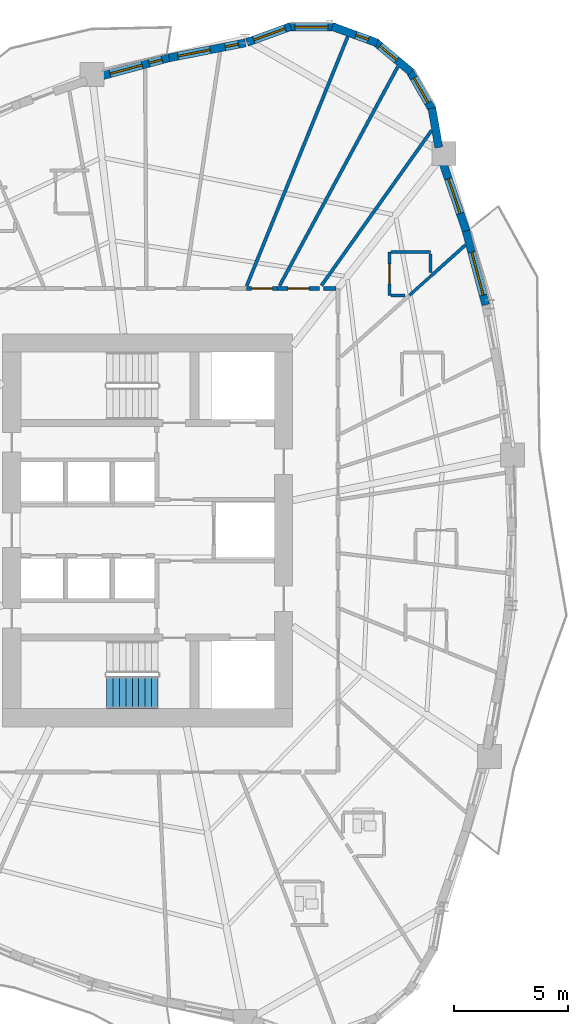
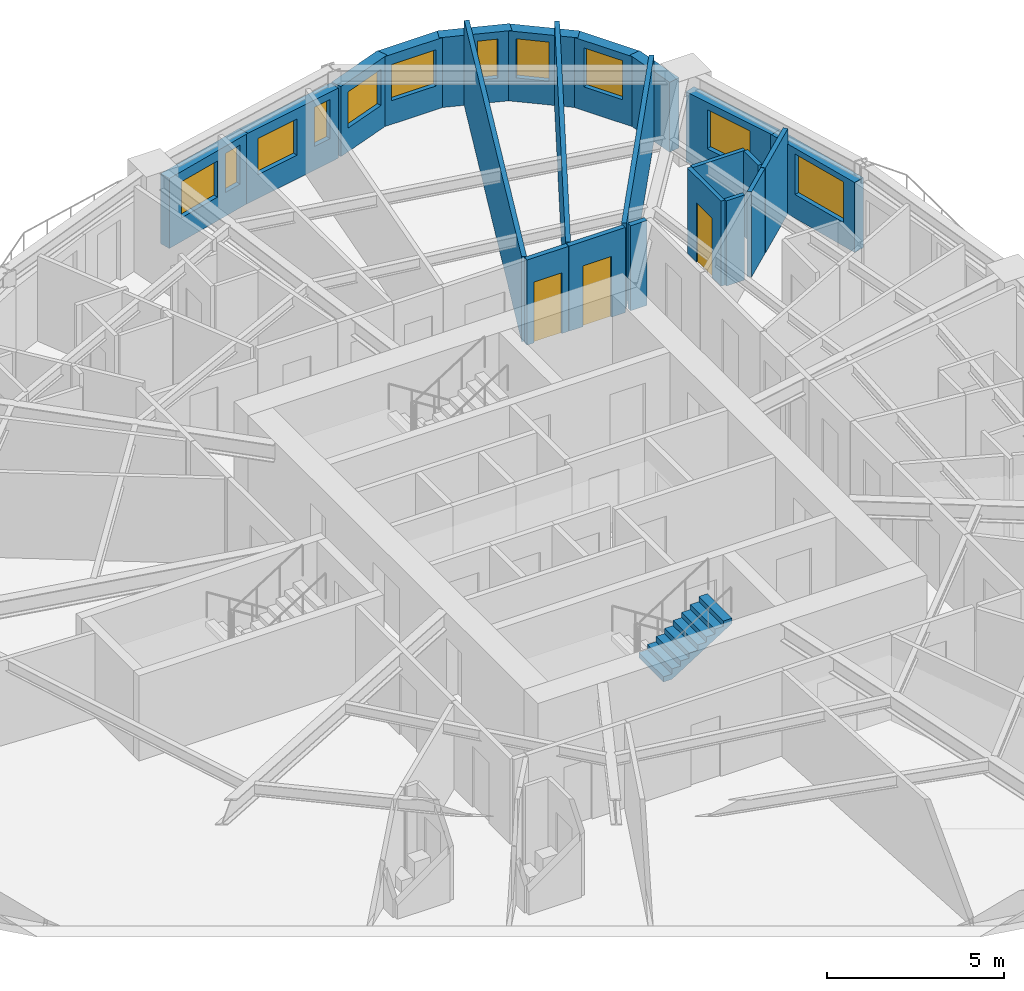
# One storey, part 9 of 14: 22 walls, 11 windows, 3 doors, 1 stair flight, 14 openings, 1 element without a shape of its own.
"""IFC4 building model written with IfcOpenShell, lengths in metres."""

from ifc_helpers import new_model, si_unit, direction, frame, frame_2d, origin, place, context, subcontext, project, spatial, polyline, rectangle, outline, extrude, source, transform, mapped, material, layer, layer_set, type_object, element, fill, aggregate, save


model = new_model("IFC4")

# Units and contexts
model_context = context("Model", 3, precision=1e-05, world=origin(), true_north=direction((0.0, 1.0)))
body_context = subcontext(model_context, "Body", "Model", "MODEL_VIEW")
ifc_project = project(units=[si_unit("LENGTHUNIT", "METRE"), si_unit("AREAUNIT", "SQUARE_METRE"), si_unit("VOLUMEUNIT", "CUBIC_METRE"), si_unit("PLANEANGLEUNIT", "RADIAN"), si_unit("MASSUNIT", "GRAM", prefix="KILO")], contexts=[model_context])

# Site, building, storey
site_placement = place(None, origin())
site = spatial("IfcSite", under=ifc_project, at=site_placement, CompositionType="ELEMENT")
building_placement = place(site_placement, origin())
building = spatial("IfcBuilding", under=site, at=building_placement, Name="Qafzar Sky-Pleat Residences", CompositionType="ELEMENT")
storey_placement = place(building_placement, frame((0.0, 0.0, 43.0)))
storey = spatial("IfcBuildingStorey", under=building, at=storey_placement, Name="L12", CompositionType="ELEMENT", Elevation=43.0)

# Wall, opening, door
ifc_material_1 = material(Name="Acoustic gypsum plasterboard partition", Category="gypsum")
ifc_layer_1 = layer(ifc_material_1, 0.159912109375)
ifc_layer_set_1 = layer_set([ifc_layer_1], Name="Acoustic gypsum plasterboard partition")
wall_type_1 = type_object("IfcWallType", Name="PART-COR-160", PredefinedType="PARTITIONING", material=ifc_layer_set_1)
wall_1_placement = place(storey_placement, frame((36.0419921875, 36.580078125, 0.0), z_axis=(0.0, 0.0, 1.0), x_axis=(1.0, 0.0, 0.0)))
wall_1 = element("IfcWall", 1, at=wall_1_placement, inside=storey, type_object=wall_type_1, Name="L12 Partition Wall PART-L12-PW-029", PredefinedType="PARTITIONING", context=body_context, shape_type="SweptSolid", body=[
    extrude(rectangle(XDim=1.840087890625, YDim=0.159912109375, at=frame_2d((0.919921875, 0.0))), origin(), (0.0, 0.0, 1.0), 2.93994140625),
])
opening_1_placement = place(wall_1_placement, frame((0.45947265625, 0.0, 0.0)))
opening_1 = element("IfcOpeningElement", 2, at=opening_1_placement, cuts=wall_1, Name="Opening ID-04", PredefinedType="OPENING", context=body_context, shape_type="SweptSolid", body=[
    extrude(rectangle(XDim=0.919921875, YDim=2.10009765625, at=frame_2d((0.4599609375, 1.050048828125))), frame((0.0, 0.08984375, 0.0), z_axis=(0.0, -1.0, 0.0), x_axis=(1.0, 0.0, 0.0)), (0.0, 0.0, 1.0), 0.179931640625),
])
ifc_material_2 = material(Name="Timber-faced fire door", Category="wood")
door_type_1 = type_object("IfcDoorType", Name="DR-BED-920", OperationType="NOTDEFINED", PredefinedType="DOOR", material=ifc_material_2)
shared_shape_1 = source(origin(), body_context, "Body", "SweptSolid", [
    extrude(rectangle(XDim=0.919921875, YDim=2.10009765625, at=frame_2d((0.4599609375, 1.050048828125))), frame((0.0, 0.02490234375, 0.0), z_axis=(0.0, -1.0, 0.0), x_axis=(1.0, 0.0, 0.0)), (0.0, 0.0, 1.0), 0.050048828125),
])
door_1_placement = place(opening_1_placement, origin())
door_1 = element("IfcDoor", 3, at=door_1_placement, inside=storey, type_object=door_type_1, Name="L12 Co-Living Bedroom 10 Door", OperationType="SINGLE_SWING_LEFT", OverallHeight=2.10009765625, OverallWidth=0.919921875, PredefinedType="DOOR", context=body_context, shape_type="MappedRepresentation", body=[
    mapped(shared_shape_1, transform((0.0, 0.0, 0.0), x_axis=(1.0, 0.0, 0.0), y_axis=(0.0, 1.0, 0.0), z_axis=(0.0, 0.0, 1.0), scale=1.0)),
])
fill(opening_1, door_1)

wall_2_placement = place(storey_placement, frame((34.6708984375, 36.580078125, 0.0), z_axis=(0.0, 0.0, 1.0), x_axis=(1.0, 0.0, 0.0)))
wall_2 = element("IfcWall", 4, at=wall_2_placement, inside=storey, type_object=wall_type_1, Name="L12 Partition Wall PART-L12-PW-034", PredefinedType="PARTITIONING", context=body_context, shape_type="SweptSolid", body=[
    extrude(rectangle(XDim=1.356201171875, YDim=0.159912109375, at=frame_2d((0.67822265625, 0.0))), origin(), (0.0, 0.0, 1.0), 2.93994140625),
])
opening_2_placement = place(wall_2_placement, frame((0.218017578125, 0.0, 0.0)))
opening_2 = element("IfcOpeningElement", 5, at=opening_2_placement, cuts=wall_2, Name="Opening ID-04", PredefinedType="OPENING", context=body_context, shape_type="SweptSolid", body=[
    extrude(rectangle(XDim=0.919921875, YDim=2.10009765625, at=frame_2d((0.4599609375, 1.050048828125))), frame((0.0, 0.08984375, 0.0), z_axis=(0.0, -1.0, 0.0), x_axis=(1.0, 0.0, 0.0)), (0.0, 0.0, 1.0), 0.179931640625),
])
door_2_placement = place(opening_2_placement, origin())
door_2 = element("IfcDoor", 6, at=door_2_placement, inside=storey, type_object=door_type_1, Name="L12 Co-Living Bedroom 9 Door", OperationType="SINGLE_SWING_RIGHT", OverallHeight=2.10009765625, OverallWidth=0.919921875, PredefinedType="DOOR", context=body_context, shape_type="MappedRepresentation", body=[
    mapped(shared_shape_1, transform((0.0, 0.0, 0.0), x_axis=(1.0, 0.0, 0.0), y_axis=(0.0, 1.0, 0.0), z_axis=(0.0, 0.0, 1.0), scale=1.0)),
])
fill(opening_2, door_2)

# Walls
wall_3_placement = place(storey_placement, frame((38.05078125, 36.580078125, 0.0), z_axis=(0.0, 0.0, 1.0), x_axis=(1.0, 0.0, 0.0)))
element("IfcWall", 7, at=wall_3_placement, inside=storey, type_object=wall_type_1, Name="L12 Partition Wall PART-L12-PW-105", PredefinedType="PARTITIONING", context=body_context, shape_type="SweptSolid", body=[
    extrude(rectangle(XDim=0.541259765625, YDim=0.159912109375, at=frame_2d((0.2705078125, 0.0))), origin(), (0.0, 0.0, 1.0), 2.93994140625),
])
ifc_layer_2 = layer(ifc_material_1, 0.14501953125)
ifc_layer_set_2 = layer_set([ifc_layer_2], Name="Acoustic gypsum plasterboard partition")
wall_type_2 = type_object("IfcWallType", Name="PART-UNIT-145", PredefinedType="PARTITIONING", material=ifc_layer_set_2)
wall_4_placement = place(storey_placement, frame((34.685546875, 36.694580078125, 0.0), z_axis=(0.0, 0.0, 1.0), x_axis=(0.375735926904, 0.926726773776, 0.0)))
element("IfcWall", 8, at=wall_4_placement, inside=storey, type_object=wall_type_2, Name="L12 Partition Wall PART-L12-PW-036", PredefinedType="PARTITIONING", context=body_context, shape_type="SweptSolid", body=[
    extrude(rectangle(XDim=11.7685546875, YDim=0.14501953125, at=frame_2d((5.88427734375, 0.0))), origin(), (0.0, 0.0, 1.0), 2.93994140625),
])
wall_5_placement = place(storey_placement, frame((36.12451171875, 36.701416015625, 0.0), z_axis=(0.0, 0.0, 1.0), x_axis=(0.474948586069, 0.880013545686, 0.0)))
element("IfcWall", 9, at=wall_5_placement, inside=storey, type_object=wall_type_2, Name="L12 Partition Wall PART-L12-PW-038", PredefinedType="PARTITIONING", context=body_context, shape_type="SweptSolid", body=[
    extrude(rectangle(XDim=10.889404296875, YDim=0.14501953125, at=frame_2d((5.44482421875, 0.0))), origin(), (0.0, 0.0, 1.0), 2.93994140625),
])
wall_6_placement = place(storey_placement, frame((37.955078125, 36.70849609375, 0.0), z_axis=(0.0, 0.0, 1.0), x_axis=(0.578991718582, 0.81533342248, 0.0)))
element("IfcWall", 10, at=wall_6_placement, inside=storey, type_object=wall_type_2, Name="L12 Partition Wall PART-L12-PW-044", PredefinedType="PARTITIONING", context=body_context, shape_type="SweptSolid", body=[
    extrude(rectangle(XDim=8.324951171875, YDim=0.14501953125, at=frame_2d((4.16259765625, 0.0))), origin(), (0.0, 0.0, 1.0), 2.93994140625),
])
wall_7_placement = place(storey_placement, frame((42.73388671875, 37.114013671875, 0.0), z_axis=(0.0, 0.0, 1.0), x_axis=(0.743962922365, 0.668220899214, 0.0)))
element("IfcWall", 11, at=wall_7_placement, inside=storey, type_object=wall_type_2, Name="L12 Partition Wall PART-L12-PW-069", PredefinedType="PARTITIONING", context=body_context, shape_type="SweptSolid", body=[
    extrude(rectangle(XDim=2.050048828125, YDim=0.14501953125, at=frame_2d((1.02490234375, 0.0))), origin(), (0.0, 0.0, 1.0), 2.93994140625),
])

# Wall, opening, door
ifc_material_3 = material(Name="Moisture-resistant gypsum partition", Category="gypsum")
ifc_layer_3 = layer(ifc_material_3, 0.1298828125)
ifc_layer_set_3 = layer_set([ifc_layer_3], Name="Moisture-resistant gypsum partition")
wall_type_3 = type_object("IfcWallType", Name="PART-WET-130", PredefinedType="PARTITIONING", material=ifc_layer_set_3)
wall_8_placement = place(storey_placement, frame((40.93408203125, 38.172119140625, 0.0), z_axis=(0.0, 0.0, 1.0), x_axis=(0.0, -1.0, 0.0)))
wall_8 = element("IfcWall", 12, at=wall_8_placement, inside=storey, type_object=wall_type_3, Name="L12 Partition Wall PART-L12-PW-025", PredefinedType="PARTITIONING", context=body_context, shape_type="SweptSolid", body=[
    extrude(rectangle(XDim=1.900146484375, YDim=0.1298828125, at=frame_2d((0.9501953125, 0.0))), origin(), (0.0, 0.0, 1.0), 2.93994140625),
])
opening_3_placement = place(wall_8_placement, frame((0.510009765625, 0.0, 0.0)))
opening_3 = element("IfcOpeningElement", 13, at=opening_3_placement, cuts=wall_8, Name="Opening ID-07", PredefinedType="OPENING", context=body_context, shape_type="SweptSolid", body=[
    extrude(rectangle(XDim=0.8798828125, YDim=2.050048828125, at=frame_2d((0.43994140625, 1.02490234375))), frame((0.0, 0.074951171875, 0.0), z_axis=(0.0, -1.0, 0.0), x_axis=(1.0, 0.0, 0.0)), (0.0, 0.0, 1.0), 0.14990234375),
])
door_type_2 = type_object("IfcDoorType", Name="DR-WET-880", OperationType="NOTDEFINED", PredefinedType="DOOR", material=ifc_material_2)
shared_shape_2 = source(origin(), body_context, "Body", "SweptSolid", [
    extrude(rectangle(XDim=0.8798828125, YDim=2.050048828125, at=frame_2d((0.43994140625, 1.02490234375))), frame((0.0, 0.02490234375, 0.0), z_axis=(0.0, -1.0, 0.0), x_axis=(1.0, 0.0, 0.0)), (0.0, 0.0, 1.0), 0.050048828125),
])
door_3_placement = place(opening_3_placement, origin())
door_3 = element("IfcDoor", 14, at=door_3_placement, inside=storey, type_object=door_type_2, Name="L12 En-suite Bathroom 7 Door", OperationType="SINGLE_SWING_LEFT", OverallHeight=2.050048828125, OverallWidth=0.8798828125, PredefinedType="DOOR", context=body_context, shape_type="MappedRepresentation", body=[
    mapped(shared_shape_2, transform((0.0, 0.0, 0.0), x_axis=(1.0, 0.0, 0.0), y_axis=(0.0, 1.0, 0.0), z_axis=(0.0, 0.0, 1.0), scale=1.0)),
])
fill(opening_3, door_3)

# Walls
wall_9_placement = place(storey_placement, frame((41.007080078125, 38.172119140625, 0.0), z_axis=(0.0, 0.0, 1.0), x_axis=(1.0, 0.0, 0.0)))
element("IfcWall", 15, at=wall_9_placement, inside=storey, type_object=wall_type_3, Name="L12 Partition Wall PART-L12-PW-076", PredefinedType="PARTITIONING", context=body_context, shape_type="SweptSolid", body=[
    extrude(rectangle(XDim=1.726806640625, YDim=0.1298828125, at=frame_2d((0.86328125, 0.0))), origin(), (0.0, 0.0, 1.0), 2.93994140625),
])
wall_10_placement = place(storey_placement, frame((41.80615234375, 36.281982421875, 0.0), z_axis=(0.0, 0.0, 1.0), x_axis=(0.744525261569, 0.667594289135, 0.0)))
element("IfcWall", 16, at=wall_10_placement, inside=storey, type_object=wall_type_3, Name="L12 Partition Wall PART-L12-PW-094", PredefinedType="PARTITIONING", context=body_context, shape_type="SweptSolid", body=[
    extrude(rectangle(XDim=1.231201171875, YDim=0.1298828125, at=frame_2d((0.61572265625, 0.0))), origin(), (0.0, 0.0, 1.0), 2.93994140625),
])
wall_11_placement = place(storey_placement, frame((42.73388671875, 37.27783203125, 0.0), z_axis=(0.0, 0.0, 1.0), x_axis=(0.0, 1.0, 0.0)))
element("IfcWall", 17, at=wall_11_placement, inside=storey, type_object=wall_type_3, Name="L12 Partition Wall PART-L12-PW-101", PredefinedType="PARTITIONING", context=body_context, shape_type="SweptSolid", body=[
    extrude(rectangle(XDim=0.8212890625, YDim=0.1298828125, at=frame_2d((0.41064453125, 0.0))), origin(), (0.0, 0.0, 1.0), 2.93994140625),
])
wall_12_placement = place(storey_placement, frame((41.007080078125, 36.27197265625, 0.0), z_axis=(0.0, 0.0, 1.0), x_axis=(1.0, 0.0, 0.0)))
element("IfcWall", 18, at=wall_12_placement, inside=storey, type_object=wall_type_3, Name="L12 Partition Wall PART-L12-PW-103", PredefinedType="PARTITIONING", context=body_context, shape_type="SweptSolid", body=[
    extrude(rectangle(XDim=0.598876953125, YDim=0.1298828125, at=frame_2d((0.29931640625, 0.0))), origin(), (0.0, 0.0, 1.0), 2.93994140625),
])

# Wall, opening, window
ifc_material_4 = material(Name="Precast concrete C40/50 with honed Riyadh limestone", Category="concrete")
ifc_layer_4 = layer(ifc_material_4, 0.35009765625)
ifc_layer_set_4 = layer_set([ifc_layer_4], Name="Precast concrete C40/50 with honed Riyadh limestone")
wall_type_4 = type_object("IfcWallType", Name="WALL-EXT-350", PredefinedType="SOLIDWALL", material=ifc_layer_set_4)
wall_13_placement = place(storey_placement, frame((45.147705078125, 35.865234375, 0.0), z_axis=(0.0, 0.0, 1.0), x_axis=(-0.257064434129, 0.966394265663, 0.0)))
wall_13 = element("IfcWall", 19, at=wall_13_placement, inside=storey, type_object=wall_type_4, Name="L12 Limestone Facade Wall 31", PredefinedType="SOLIDWALL", context=body_context, shape_type="SweptSolid", body=[
    extrude(rectangle(XDim=3.429443359375, YDim=0.35009765625, at=frame_2d((1.71484375, 0.0))), origin(), (0.0, 0.0, 1.0), 2.419921875),
])
opening_4_placement = place(wall_13_placement, frame((0.439697265625, 0.0, 0.820068359375)))
opening_4 = element("IfcOpeningElement", 20, at=opening_4_placement, cuts=wall_13, Name="Opening WN-08", PredefinedType="OPENING", context=body_context, shape_type="SweptSolid", body=[
    extrude(rectangle(XDim=1.949951171875, YDim=1.39990234375, at=frame_2d((0.97509765625, 0.699951171875))), frame((0.0, 0.18505859375, 0.0), z_axis=(0.0, -1.0, 0.0), x_axis=(1.0, 0.0, 0.0)), (0.0, 0.0, 1.0), 0.3701171875),
])
ifc_material_5 = material(Name="Solar-control low-E glass in bronze aluminium frame", Category="glass")
window_type_1 = type_object("IfcWindowType", Name="WIN-08", PartitioningType="DOUBLE_PANEL_VERTICAL", PredefinedType="WINDOW", material=ifc_material_5)
shared_shape_3 = source(origin(), body_context, "Body", "SweptSolid", [
    extrude(rectangle(XDim=1.949951171875, YDim=1.39990234375, at=frame_2d((0.97509765625, 0.699951171875))), frame((0.0, 0.030029296875, 0.0), z_axis=(0.0, -1.0, 0.0), x_axis=(1.0, 0.0, 0.0)), (0.0, 0.0, 1.0), 0.06005859375),
])
window_1_placement = place(opening_4_placement, origin())
window_1 = element("IfcWindow", 21, at=window_1_placement, inside=storey, type_object=window_type_1, Name="L12 Punched Facade Window 31", OverallHeight=1.39990234375, OverallWidth=1.949951171875, PartitioningType="SINGLE_PANEL", PredefinedType="WINDOW", context=body_context, shape_type="MappedRepresentation", body=[
    mapped(shared_shape_3, transform((0.0, 0.0, 0.0), x_axis=(1.0, 0.0, 0.0), y_axis=(0.0, 1.0, 0.0), z_axis=(0.0, 0.0, 1.0), scale=1.0)),
])
fill(opening_4, window_1)

wall_14_placement = place(storey_placement, frame((44.291748046875, 39.09521484375, 0.0), z_axis=(0.0, 0.0, 1.0), x_axis=(-0.323582370233, 0.946200005112, 0.0)))
wall_14 = element("IfcWall", 22, at=wall_14_placement, inside=storey, type_object=wall_type_4, Name="L12 Limestone Facade Wall 32", PredefinedType="SOLIDWALL", context=body_context, shape_type="SweptSolid", body=[
    extrude(rectangle(XDim=3.222412109375, YDim=0.35009765625, at=frame_2d((1.611328125, 0.0))), origin(), (0.0, 0.0, 1.0), 2.419921875),
])
opening_5_placement = place(wall_14_placement, frame((0.816162109375, 0.0, 0.820068359375)))
opening_5 = element("IfcOpeningElement", 23, at=opening_5_placement, cuts=wall_14, Name="Opening WN-09", PredefinedType="OPENING", context=body_context, shape_type="SweptSolid", body=[
    extrude(rectangle(XDim=1.60009765625, YDim=1.35009765625, at=frame_2d((0.800048828125, 0.675048828125))), frame((0.0, 0.18505859375, 0.0), z_axis=(0.0, -1.0, 0.0), x_axis=(1.0, 0.0, 0.0)), (0.0, 0.0, 1.0), 0.3701171875),
])
window_type_2 = type_object("IfcWindowType", Name="WIN-09", PartitioningType="DOUBLE_PANEL_VERTICAL", PredefinedType="WINDOW", material=ifc_material_5)
shared_shape_4 = source(origin(), body_context, "Body", "SweptSolid", [
    extrude(rectangle(XDim=1.60009765625, YDim=1.35009765625, at=frame_2d((0.800048828125, 0.675048828125))), frame((0.0, 0.030029296875, 0.0), z_axis=(0.0, -1.0, 0.0), x_axis=(1.0, 0.0, 0.0)), (0.0, 0.0, 1.0), 0.06005859375),
])
window_2_placement = place(opening_5_placement, origin())
window_2 = element("IfcWindow", 24, at=window_2_placement, inside=storey, type_object=window_type_2, Name="L12 Punched Facade Window 32", OverallHeight=1.35009765625, OverallWidth=1.60009765625, PartitioningType="SINGLE_PANEL", PredefinedType="WINDOW", context=body_context, shape_type="MappedRepresentation", body=[
    mapped(shared_shape_4, transform((0.0, 0.0, 0.0), x_axis=(1.0, 0.0, 0.0), y_axis=(0.0, 1.0, 0.0), z_axis=(0.0, 0.0, 1.0), scale=1.0)),
])
fill(opening_5, window_2)

# Wall
wall_15_placement = place(storey_placement, frame((43.093017578125, 42.75, 0.0), z_axis=(0.0, 0.0, 1.0), x_axis=(-0.173610462023, 0.984814402553, 0.0)))
element("IfcWall", 25, at=wall_15_placement, inside=storey, type_object=wall_type_4, Name="L12 Limestone Facade Wall 33", PredefinedType="SOLIDWALL", context=body_context, shape_type="SweptSolid", body=[
    extrude(rectangle(XDim=1.752197265625, YDim=0.35009765625, at=frame_2d((0.8759765625, 0.0))), origin(), (0.0, 0.0, 1.0), 2.419921875),
])

# Wall, opening, window
wall_16_placement = place(storey_placement, frame((42.835205078125, 44.34814453125, 0.0), z_axis=(0.0, 0.0, 1.0), x_axis=(-0.499995423472, 0.866028046028, 0.0)))
wall_16 = element("IfcWall", 26, at=wall_16_placement, inside=storey, type_object=wall_type_4, Name="L12 Limestone Facade Wall 34", PredefinedType="SOLIDWALL", context=body_context, shape_type="SweptSolid", body=[
    extrude(rectangle(XDim=2.09033203125, YDim=0.35009765625, at=frame_2d((1.045166015625, 0.0))), origin(), (0.0, 0.0, 1.0), 2.419921875),
])
opening_6_placement = place(wall_16_placement, frame((0.420166015625, 0.0, 0.820068359375)))
opening_6 = element("IfcOpeningElement", 27, at=opening_6_placement, cuts=wall_16, Name="Opening WN-11", PredefinedType="OPENING", context=body_context, shape_type="SweptSolid", body=[
    extrude(rectangle(XDim=1.25, YDim=1.35009765625, at=frame_2d((0.625, 0.675048828125))), frame((0.0, 0.18505859375, 0.0), z_axis=(0.0, -1.0, 0.0), x_axis=(1.0, 0.0, 0.0)), (0.0, 0.0, 1.0), 0.3701171875),
])
window_type_3 = type_object("IfcWindowType", Name="WIN-11", PartitioningType="SINGLE_PANEL", PredefinedType="WINDOW", material=ifc_material_5)
shared_shape_5 = source(origin(), body_context, "Body", "SweptSolid", [
    extrude(rectangle(XDim=1.25, YDim=1.35009765625, at=frame_2d((0.625, 0.675048828125))), frame((0.0, 0.030029296875, 0.0), z_axis=(0.0, -1.0, 0.0), x_axis=(1.0, 0.0, 0.0)), (0.0, 0.0, 1.0), 0.06005859375),
])
window_3_placement = place(opening_6_placement, origin())
window_3 = element("IfcWindow", 28, at=window_3_placement, inside=storey, type_object=window_type_3, Name="L12 Punched Facade Window 34", OverallHeight=1.35009765625, OverallWidth=1.25, PartitioningType="SINGLE_PANEL", PredefinedType="WINDOW", context=body_context, shape_type="MappedRepresentation", body=[
    mapped(shared_shape_5, transform((0.0, 0.0, 0.0), x_axis=(1.0, 0.0, 0.0), y_axis=(0.0, 1.0, 0.0), z_axis=(0.0, 0.0, 1.0), scale=1.0)),
])
fill(opening_6, window_3)

wall_17_placement = place(storey_placement, frame((41.877197265625, 46.054443359375, 0.0), z_axis=(0.0, 0.0, 1.0), x_axis=(-0.766024572719, 0.642811289563, 0.0)))
wall_17 = element("IfcWall", 29, at=wall_17_placement, inside=storey, type_object=wall_type_4, Name="L12 Limestone Facade Wall 35", PredefinedType="SOLIDWALL", context=body_context, shape_type="SweptSolid", body=[
    extrude(rectangle(XDim=2.09033203125, YDim=0.35009765625, at=frame_2d((1.045166015625, 0.0))), origin(), (0.0, 0.0, 1.0), 2.419921875),
])
opening_7_placement = place(wall_17_placement, frame((0.82080078125, 0.0, 0.820068359375)))
opening_7 = element("IfcOpeningElement", 30, at=opening_7_placement, cuts=wall_17, Name="Opening WN-12", PredefinedType="OPENING", context=body_context, shape_type="SweptSolid", body=[
    extrude(rectangle(XDim=0.949951171875, YDim=1.35009765625, at=frame_2d((0.47509765625, 0.675048828125))), frame((0.0, 0.18505859375, 0.0), z_axis=(0.0, -1.0, 0.0), x_axis=(1.0, 0.0, 0.0)), (0.0, 0.0, 1.0), 0.3701171875),
])
window_type_4 = type_object("IfcWindowType", Name="WIN-12", PartitioningType="SINGLE_PANEL", PredefinedType="WINDOW", material=ifc_material_5)
shared_shape_6 = source(origin(), body_context, "Body", "SweptSolid", [
    extrude(rectangle(XDim=0.949951171875, YDim=1.35009765625, at=frame_2d((0.47509765625, 0.675048828125))), frame((0.0, 0.030029296875, 0.0), z_axis=(0.0, -1.0, 0.0), x_axis=(1.0, 0.0, 0.0)), (0.0, 0.0, 1.0), 0.06005859375),
])
window_4_placement = place(opening_7_placement, origin())
window_4 = element("IfcWindow", 31, at=window_4_placement, inside=storey, type_object=window_type_4, Name="L12 Punched Facade Window 35-2", OverallHeight=1.35009765625, OverallWidth=0.949951171875, PartitioningType="SINGLE_PANEL", PredefinedType="WINDOW", context=body_context, shape_type="MappedRepresentation", body=[
    mapped(shared_shape_6, transform((0.0, 0.0, 0.0), x_axis=(1.0, 0.0, 0.0), y_axis=(0.0, 1.0, 0.0), z_axis=(0.0, 0.0, 1.0), scale=1.0)),
])
fill(opening_7, window_4)

wall_18_placement = place(storey_placement, frame((40.393310546875, 47.330322265625, 0.0), z_axis=(0.0, 0.0, 1.0), x_axis=(-0.939660353162, 0.342108784886, 0.0)))
wall_18 = element("IfcWall", 32, at=wall_18_placement, inside=storey, type_object=wall_type_4, Name="L12 Limestone Facade Wall 36", PredefinedType="SOLIDWALL", context=body_context, shape_type="SweptSolid", body=[
    extrude(rectangle(XDim=2.09033203125, YDim=0.35009765625, at=frame_2d((1.045166015625, 0.0))), origin(), (0.0, 0.0, 1.0), 2.419921875),
])
opening_8_placement = place(wall_18_placement, frame((0.40869140625, 0.0, 0.820068359375)))
opening_8 = element("IfcOpeningElement", 33, at=opening_8_placement, cuts=wall_18, Name="Opening WN-17", PredefinedType="OPENING", context=body_context, shape_type="SweptSolid", body=[
    extrude(rectangle(XDim=0.580078125, YDim=1.35009765625, at=frame_2d((0.2900390625, 0.675048828125))), frame((0.0, 0.18505859375, 0.0), z_axis=(0.0, -1.0, 0.0), x_axis=(1.0, 0.0, 0.0)), (0.0, 0.0, 1.0), 0.3701171875),
])
window_type_5 = type_object("IfcWindowType", Name="WIN-17", PartitioningType="SINGLE_PANEL", PredefinedType="WINDOW", material=ifc_material_5)
shared_shape_7 = source(origin(), body_context, "Body", "SweptSolid", [
    extrude(rectangle(XDim=0.580078125, YDim=1.35009765625, at=frame_2d((0.2900390625, 0.675048828125))), frame((0.0, 0.030029296875, 0.0), z_axis=(0.0, -1.0, 0.0), x_axis=(1.0, 0.0, 0.0)), (0.0, 0.0, 1.0), 0.06005859375),
])
window_5_placement = place(opening_8_placement, origin())
window_5 = element("IfcWindow", 34, at=window_5_placement, inside=storey, type_object=window_type_5, Name="L12 Punched Facade Window 36", OverallHeight=1.35009765625, OverallWidth=0.580078125, PartitioningType="SINGLE_PANEL", PredefinedType="WINDOW", context=body_context, shape_type="MappedRepresentation", body=[
    mapped(shared_shape_7, transform((0.0, 0.0, 0.0), x_axis=(1.0, 0.0, 0.0), y_axis=(0.0, 1.0, 0.0), z_axis=(0.0, 0.0, 1.0), scale=1.0)),
])
fill(opening_8, window_5)

wall_19_placement = place(storey_placement, frame((38.562744140625, 48.021728515625, 0.0), z_axis=(0.0, 0.0, 1.0), x_axis=(-1.0, 0.0, 0.0)))
wall_19 = element("IfcWall", 35, at=wall_19_placement, inside=storey, type_object=wall_type_4, Name="L12 Limestone Facade Wall 37", PredefinedType="SOLIDWALL", context=body_context, shape_type="SweptSolid", body=[
    extrude(rectangle(XDim=2.09033203125, YDim=0.35009765625, at=frame_2d((1.045166015625, 0.0))), origin(), (0.0, 0.0, 1.0), 2.419921875),
])
opening_9_placement = place(wall_19_placement, frame((0.3203125, 0.0, 0.820068359375)))
opening_9 = element("IfcOpeningElement", 36, at=opening_9_placement, cuts=wall_19, Name="Opening WN-15", PredefinedType="OPENING", context=body_context, shape_type="SweptSolid", body=[
    extrude(rectangle(XDim=1.449951171875, YDim=1.25, at=frame_2d((0.72509765625, 0.625))), frame((0.0, 0.18505859375, 0.0), z_axis=(0.0, -1.0, 0.0), x_axis=(1.0, 0.0, 0.0)), (0.0, 0.0, 1.0), 0.3701171875),
])
window_type_6 = type_object("IfcWindowType", Name="WIN-15", PartitioningType="SINGLE_PANEL", PredefinedType="WINDOW", material=ifc_material_5)
shared_shape_8 = source(origin(), body_context, "Body", "SweptSolid", [
    extrude(rectangle(XDim=1.449951171875, YDim=1.25, at=frame_2d((0.72509765625, 0.625))), frame((0.0, 0.030029296875, 0.0), z_axis=(0.0, -1.0, 0.0), x_axis=(1.0, 0.0, 0.0)), (0.0, 0.0, 1.0), 0.06005859375),
])
window_6_placement = place(opening_9_placement, origin())
window_6 = element("IfcWindow", 37, at=window_6_placement, inside=storey, type_object=window_type_6, Name="L12 Punched Facade Window 37", OverallHeight=1.25, OverallWidth=1.449951171875, PartitioningType="SINGLE_PANEL", PredefinedType="WINDOW", context=body_context, shape_type="MappedRepresentation", body=[
    mapped(shared_shape_8, transform((0.0, 0.0, 0.0), x_axis=(1.0, 0.0, 0.0), y_axis=(0.0, 1.0, 0.0), z_axis=(0.0, 0.0, 1.0), scale=1.0)),
])
fill(opening_9, window_6)

wall_20_placement = place(storey_placement, frame((36.60595703125, 48.04541015625, 0.0), z_axis=(0.0, 0.0, 1.0), x_axis=(-0.939653047052, -0.342128851701, 0.0)))
wall_20 = element("IfcWall", 38, at=wall_20_placement, inside=storey, type_object=wall_type_4, Name="L12 Limestone Facade Wall 38", PredefinedType="SOLIDWALL", context=body_context, shape_type="SweptSolid", body=[
    extrude(rectangle(XDim=2.0322265625, YDim=0.35009765625, at=frame_2d((1.01611328125, 0.0))), origin(), (0.0, 0.0, 1.0), 2.419921875),
])
opening_10_placement = place(wall_20_placement, frame((0.26123046875, 0.0, 0.820068359375)))
opening_10 = element("IfcOpeningElement", 39, at=opening_10_placement, cuts=wall_20, Name="Opening WN-15", PredefinedType="OPENING", context=body_context, shape_type="SweptSolid", body=[
    extrude(rectangle(XDim=1.449951171875, YDim=1.25, at=frame_2d((0.72509765625, 0.625))), frame((0.0, 0.18505859375, 0.0), z_axis=(0.0, -1.0, 0.0), x_axis=(1.0, 0.0, 0.0)), (0.0, 0.0, 1.0), 0.3701171875),
])
window_7_placement = place(opening_10_placement, origin())
window_7 = element("IfcWindow", 40, at=window_7_placement, inside=storey, type_object=window_type_6, Name="L12 Punched Facade Window 38", OverallHeight=1.25, OverallWidth=1.449951171875, PartitioningType="SINGLE_PANEL", PredefinedType="WINDOW", context=body_context, shape_type="MappedRepresentation", body=[
    mapped(shared_shape_8, transform((0.0, 0.0, 0.0), x_axis=(1.0, 0.0, 0.0), y_axis=(0.0, 1.0, 0.0), z_axis=(0.0, 0.0, 1.0), scale=1.0)),
])
fill(opening_10, window_7)

# Wall, openings, windows
wall_21_placement = place(storey_placement, frame((34.631591796875, 47.33203125, 0.0), z_axis=(0.0, 0.0, 1.0), x_axis=(-0.981234691866, -0.192817217796, 0.0)))
wall_21 = element("IfcWall", 41, at=wall_21_placement, inside=storey, type_object=wall_type_4, Name="L12 Limestone Facade Wall 39", PredefinedType="SOLIDWALL", context=body_context, shape_type="SweptSolid", body=[
    extrude(rectangle(XDim=3.502197265625, YDim=0.35009765625, at=frame_2d((1.7509765625, 0.0))), origin(), (0.0, 0.0, 1.0), 2.419921875),
])
opening_11_placement = place(wall_21_placement, frame((0.321044921875, 0.0, 0.820068359375)))
opening_11 = element("IfcOpeningElement", 42, at=opening_11_placement, cuts=wall_21, Name="Opening WN-17", PredefinedType="OPENING", context=body_context, shape_type="SweptSolid", body=[
    extrude(rectangle(XDim=0.580078125, YDim=1.35009765625, at=frame_2d((0.2900390625, 0.675048828125))), frame((0.0, 0.18505859375, 0.0), z_axis=(0.0, -1.0, 0.0), x_axis=(1.0, 0.0, 0.0)), (0.0, 0.0, 1.0), 0.3701171875),
])
opening_12_placement = place(wall_21_placement, frame((1.5673828125, 0.0, 0.820068359375)))
opening_12 = element("IfcOpeningElement", 43, at=opening_12_placement, cuts=wall_21, Name="Opening WN-15", PredefinedType="OPENING", context=body_context, shape_type="SweptSolid", body=[
    extrude(rectangle(XDim=1.449951171875, YDim=1.25, at=frame_2d((0.72509765625, 0.625))), frame((0.0, 0.18505859375, 0.0), z_axis=(0.0, -1.0, 0.0), x_axis=(1.0, 0.0, 0.0)), (0.0, 0.0, 1.0), 0.3701171875),
])
window_8_placement = place(opening_12_placement, origin())
window_8 = element("IfcWindow", 44, at=window_8_placement, inside=storey, type_object=window_type_6, Name="L12 Punched Facade Window 39-2", OverallHeight=1.25, OverallWidth=1.449951171875, PartitioningType="SINGLE_PANEL", PredefinedType="WINDOW", context=body_context, shape_type="MappedRepresentation", body=[
    mapped(shared_shape_8, transform((0.0, 0.0, 0.0), x_axis=(1.0, 0.0, 0.0), y_axis=(0.0, 1.0, 0.0), z_axis=(0.0, 0.0, 1.0), scale=1.0)),
])
fill(opening_12, window_8)
window_9_placement = place(opening_11_placement, origin())
window_9 = element("IfcWindow", 45, at=window_9_placement, inside=storey, type_object=window_type_5, Name="L12 Punched Facade Window 39", OverallHeight=1.35009765625, OverallWidth=0.580078125, PartitioningType="SINGLE_PANEL", PredefinedType="WINDOW", context=body_context, shape_type="MappedRepresentation", body=[
    mapped(shared_shape_7, transform((0.0, 0.0, 0.0), x_axis=(1.0, 0.0, 0.0), y_axis=(0.0, 1.0, 0.0), z_axis=(0.0, 0.0, 1.0), scale=1.0)),
])
fill(opening_11, window_9)

wall_22_placement = place(storey_placement, frame((31.28076171875, 46.6767578125, 0.0), z_axis=(0.0, 0.0, 1.0), x_axis=(-0.965445661484, -0.260604441101, 0.0)))
wall_22 = element("IfcWall", 46, at=wall_22_placement, inside=storey, type_object=wall_type_4, Name="L12 Limestone Facade Wall 40", PredefinedType="SOLIDWALL", context=body_context, shape_type="SweptSolid", body=[
    extrude(rectangle(XDim=3.149658203125, YDim=0.35009765625, at=frame_2d((1.57470703125, 0.0))), origin(), (0.0, 0.0, 1.0), 2.419921875),
])
opening_13_placement = place(wall_22_placement, frame((0.31005859375, 0.0, 0.820068359375)))
opening_13 = element("IfcOpeningElement", 47, at=opening_13_placement, cuts=wall_22, Name="Opening WN-17", PredefinedType="OPENING", context=body_context, shape_type="SweptSolid", body=[
    extrude(rectangle(XDim=0.580078125, YDim=1.35009765625, at=frame_2d((0.2900390625, 0.675048828125))), frame((0.0, 0.18505859375, 0.0), z_axis=(0.0, -1.0, 0.0), x_axis=(1.0, 0.0, 0.0)), (0.0, 0.0, 1.0), 0.3701171875),
])
opening_14_placement = place(wall_22_placement, frame((1.215087890625, 0.0, 0.820068359375)))
opening_14 = element("IfcOpeningElement", 48, at=opening_14_placement, cuts=wall_22, Name="Opening WN-15", PredefinedType="OPENING", context=body_context, shape_type="SweptSolid", body=[
    extrude(rectangle(XDim=1.449951171875, YDim=1.25, at=frame_2d((0.72509765625, 0.625))), frame((0.0, 0.18505859375, 0.0), z_axis=(0.0, -1.0, 0.0), x_axis=(1.0, 0.0, 0.0)), (0.0, 0.0, 1.0), 0.3701171875),
])
window_10_placement = place(opening_14_placement, origin())
window_10 = element("IfcWindow", 49, at=window_10_placement, inside=storey, type_object=window_type_6, Name="L12 Punched Facade Window 40-2", OverallHeight=1.25, OverallWidth=1.449951171875, PartitioningType="SINGLE_PANEL", PredefinedType="WINDOW", context=body_context, shape_type="MappedRepresentation", body=[
    mapped(shared_shape_8, transform((0.0, 0.0, 0.0), x_axis=(1.0, 0.0, 0.0), y_axis=(0.0, 1.0, 0.0), z_axis=(0.0, 0.0, 1.0), scale=1.0)),
])
fill(opening_14, window_10)
window_11_placement = place(opening_13_placement, origin())
window_11 = element("IfcWindow", 50, at=window_11_placement, inside=storey, type_object=window_type_5, Name="L12 Punched Facade Window 40", OverallHeight=1.35009765625, OverallWidth=0.580078125, PartitioningType="SINGLE_PANEL", PredefinedType="WINDOW", context=body_context, shape_type="MappedRepresentation", body=[
    mapped(shared_shape_7, transform((0.0, 0.0, 0.0), x_axis=(1.0, 0.0, 0.0), y_axis=(0.0, 1.0, 0.0), z_axis=(0.0, 0.0, 1.0), scale=1.0)),
])
fill(opening_13, window_11)

# Stair, stair flight
ifc_material_6 = material(Name="Concrete C40/50", Category="concrete")
stair_type = type_object("IfcStairType", Name="STAIR-H320", PredefinedType="HALF_TURN_STAIR", material=ifc_material_6)
stair_placement = place(storey_placement, origin())
stair = element("IfcStair", 51, at=stair_placement, inside=storey, type_object=stair_type, Name="L12 Protected Exit Stair ST1", PredefinedType="HALF_TURN_STAIR")
stair_flight_type = type_object("IfcStairFlightType", Name="FLIGHT-H320", PredefinedType="STRAIGHT", material=ifc_material_6)
shared_shape_9 = source(origin(), body_context, "Body", "SweptSolid", [
    extrude(outline(polyline([(0.0, 0.0), (0.0, 0.177734375), (0.280029296875, 0.177734375), (0.280029296875, 0.35546875), (0.56005859375, 0.35546875), (0.56005859375, 0.533447265625), (0.840087890625, 0.533447265625), (0.840087890625, 0.711181640625), (1.1201171875, 0.711181640625), (1.1201171875, 0.888916015625), (1.39990234375, 0.888916015625), (1.39990234375, 1.066650390625), (1.679931640625, 1.066650390625), (1.679931640625, 1.244384765625), (1.9599609375, 1.244384765625), (1.9599609375, 1.422119140625), (2.239990234375, 1.422119140625), (2.239990234375, 1.60009765625), (2.239990234375, 1.24462890625), (0.27978515625, 0.0), (0.0, 0.0)])), frame((0.0, 0.699951171875, 0.0), z_axis=(0.0, -1.0, 0.0), x_axis=(1.0, 0.0, 0.0)), (0.0, 0.0, 1.0), 1.39990234375),
])
stair_flight_placement = place(storey_placement, frame((28.56005859375, 18.89990234375, 1.60009765625), z_axis=(0.0, 0.0, 1.0), x_axis=(1.0, 0.0, 0.0)))
stair_flight = element("IfcStairFlight", 52, at=stair_flight_placement, type_object=stair_flight_type, Name="ST1 flight 2", NumberOfRisers=9, NumberOfTreads=8, PredefinedType="STRAIGHT", RiserHeight=0.177777778, TreadLength=0.28, context=body_context, shape_type="MappedRepresentation", body=[
    mapped(shared_shape_9, transform((0.0, 0.0, 0.0), x_axis=(1.0, 0.0, 0.0), y_axis=(0.0, 1.0, 0.0), z_axis=(0.0, 0.0, 1.0), scale=1.0)),
])
aggregate(stair, [stair_flight])

save(model, "model.ifc")
